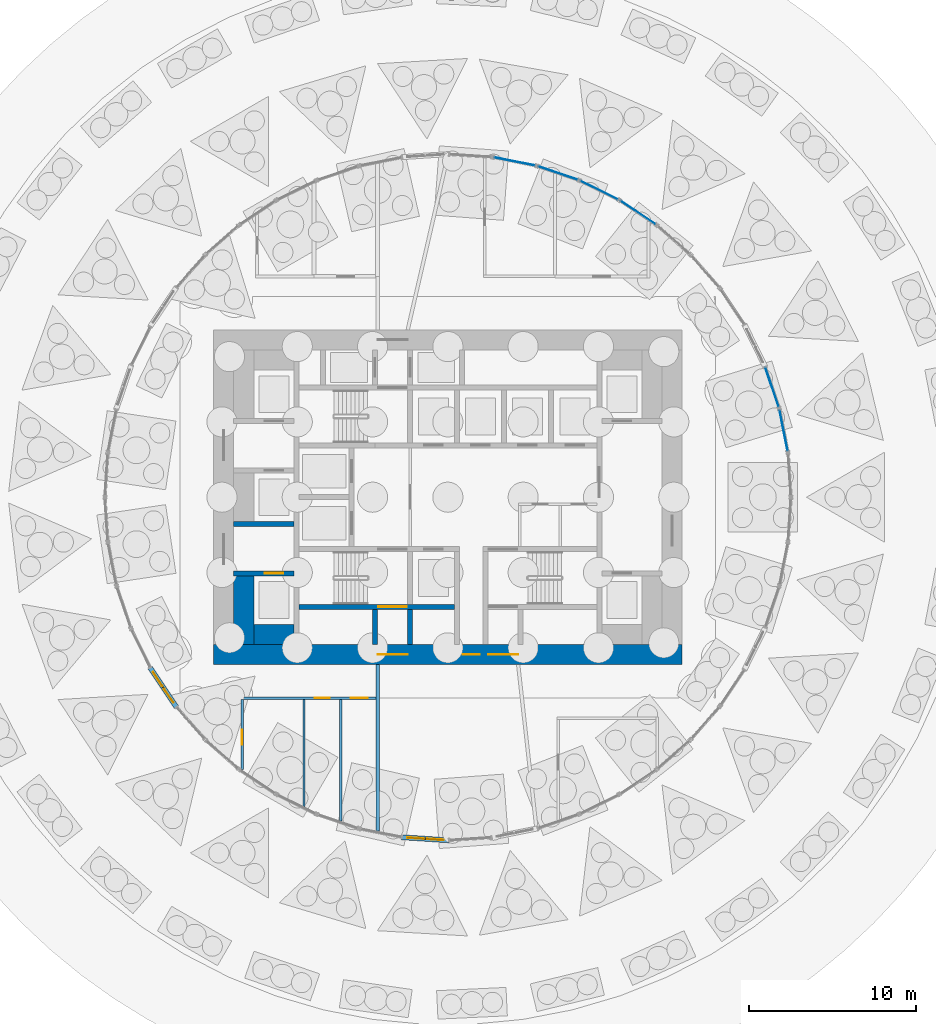
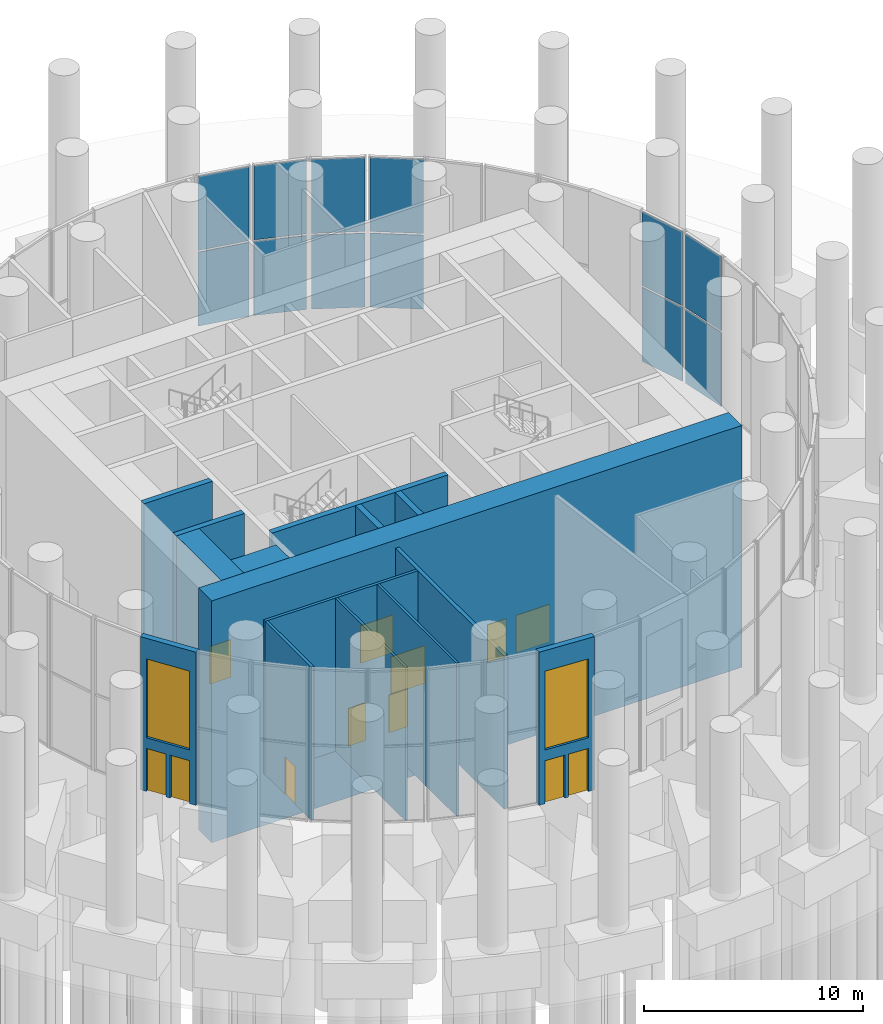
# One storey, part 12 of 20: 15 walls, 12 doors, 12 plates, 2 windows, 14 openings, 6 elements without a shape of their own.
"""IFC4 building model written with IfcOpenShell, lengths in metres."""

from ifc_helpers import new_model, si_unit, direction, frame, frame_2d, origin, origin_2d, place, context, subcontext, project, spatial, rectangle, extrude, material, layer, layer_set, type_object, element, fill, aggregate, save


model = new_model("IFC4")

# Units and contexts
model_context = context("Model", 3, precision=1e-05, world=origin(), true_north=direction((0.0, 1.0)))
body_context = subcontext(model_context, "Body", "Model", "MODEL_VIEW")
ifc_project = project(units=[si_unit("LENGTHUNIT", "METRE"), si_unit("AREAUNIT", "SQUARE_METRE"), si_unit("VOLUMEUNIT", "CUBIC_METRE"), si_unit("PLANEANGLEUNIT", "RADIAN"), si_unit("MASSUNIT", "GRAM", prefix="KILO")], contexts=[model_context])

# Site, building, storey
site_placement = place(None, origin())
site = spatial("IfcSite", under=ifc_project, at=site_placement, CompositionType="ELEMENT")
building_placement = place(site_placement, origin())
building = spatial("IfcBuilding", under=site, at=building_placement, Name="Tracery Tower", CompositionType="ELEMENT")
storey_placement = place(building_placement, origin())
storey = spatial("IfcBuildingStorey", under=building, at=storey_placement, Name="L00", CompositionType="ELEMENT", Elevation=0.0)

# Curtain wall, plates
ifc_material_1 = material(Name="Aluminium curtain wall with tinted glass", Category="aluminium")
curtain_wall_type = type_object("IfcCurtainWallType", Name="Pavilion storefront curtain wall", PredefinedType="NOTDEFINED", material=ifc_material_1)
curtain_wall_1_placement = place(storey_placement, origin())
curtain_wall_1 = element("IfcCurtainWall", 1, at=curtain_wall_1_placement, inside=storey, type_object=curtain_wall_type, Name="Pavilion storefront run 01", PredefinedType="NOTDEFINED")
ifc_material_2 = material(Name="Tinted laminated glass", Category="glass")
ifc_layer_1 = layer(ifc_material_2, 0.035888671875)
ifc_layer_set_1 = layer_set([ifc_layer_1], Name="Pavilion storefront glass panel 36")
plate_type = type_object("IfcPlateType", Name="Pavilion storefront glass panel 36", PredefinedType="CURTAIN_PANEL", material=ifc_layer_set_1)
plate_1_placement = place(storey_placement, frame((20.06298828125, 3.99072265625, 0.10009765625), z_axis=(0.0, 0.0, 1.0), x_axis=(-0.195073758352, 0.980788574976, 0.0)))
plate_1 = element("IfcPlate", 2, at=plate_1_placement, type_object=plate_type, Name="CWB1 panel 1.1", PredefinedType="CURTAIN_PANEL", context=body_context, shape_type="SweptSolid", body=[
    extrude(rectangle(XDim=2.461669921875, YDim=0.035888671875, at=origin_2d()), origin(), (0.0, 0.0, 1.0), 4.125),
])
plate_2_placement = place(storey_placement, frame((20.06298828125, 3.99072265625, 4.324951171875), z_axis=(0.0, 0.0, 1.0), x_axis=(-0.195073758352, 0.980788574976, 0.0)))
plate_2 = element("IfcPlate", 3, at=plate_2_placement, type_object=plate_type, Name="CWB1 panel 1.2", PredefinedType="CURTAIN_PANEL", context=body_context, shape_type="SweptSolid", body=[
    extrude(rectangle(XDim=2.461669921875, YDim=0.035888671875, at=origin_2d()), origin(), (0.0, 0.0, 1.0), 4.125),
])
aggregate(curtain_wall_1, [plate_1, plate_2])

curtain_wall_2_placement = place(storey_placement, origin())
curtain_wall_2 = element("IfcCurtainWall", 4, at=curtain_wall_2_placement, inside=storey, type_object=curtain_wall_type, Name="Pavilion storefront run 02", PredefinedType="NOTDEFINED")
plate_3_placement = place(storey_placement, frame((19.37060546875, 6.575439453125, 0.10009765625), z_axis=(0.0, 0.0, 1.0), x_axis=(-0.32143545964, 0.946931489225, 0.0)))
plate_3 = element("IfcPlate", 5, at=plate_3_placement, type_object=plate_type, Name="CWB1 panel 1.1", PredefinedType="CURTAIN_PANEL", context=body_context, shape_type="SweptSolid", body=[
    extrude(rectangle(XDim=2.46142578125, YDim=0.035888671875, at=origin_2d()), origin(), (0.0, 0.0, 1.0), 4.125),
])
plate_4_placement = place(storey_placement, frame((19.37060546875, 6.575439453125, 4.324951171875), z_axis=(0.0, 0.0, 1.0), x_axis=(-0.32143545964, 0.946931489225, 0.0)))
plate_4 = element("IfcPlate", 6, at=plate_4_placement, type_object=plate_type, Name="CWB1 panel 1.2", PredefinedType="CURTAIN_PANEL", context=body_context, shape_type="SweptSolid", body=[
    extrude(rectangle(XDim=2.46142578125, YDim=0.035888671875, at=origin_2d()), origin(), (0.0, 0.0, 1.0), 4.125),
])
aggregate(curtain_wall_2, [plate_3, plate_4])

curtain_wall_3_placement = place(storey_placement, origin())
curtain_wall_3 = element("IfcCurtainWall", 7, at=curtain_wall_3_placement, inside=storey, type_object=curtain_wall_type, Name="Pavilion storefront run 07", PredefinedType="NOTDEFINED")
plate_5_placement = place(storey_placement, frame((11.36474609375, 17.008544921875, 0.10009765625), z_axis=(0.0, 0.0, 1.0), x_axis=(-0.83147621975, 0.555560344148, 0.0)))
plate_5 = element("IfcPlate", 8, at=plate_5_placement, type_object=plate_type, Name="CWB1 panel 1.1", PredefinedType="CURTAIN_PANEL", context=body_context, shape_type="SweptSolid", body=[
    extrude(rectangle(XDim=2.46142578125, YDim=0.035888671875, at=origin_2d()), origin(), (0.0, 0.0, 1.0), 4.125),
])
plate_6_placement = place(storey_placement, frame((11.36474609375, 17.008544921875, 4.324951171875), z_axis=(0.0, 0.0, 1.0), x_axis=(-0.83147621975, 0.555560344148, 0.0)))
plate_6 = element("IfcPlate", 9, at=plate_6_placement, type_object=plate_type, Name="CWB1 panel 1.2", PredefinedType="CURTAIN_PANEL", context=body_context, shape_type="SweptSolid", body=[
    extrude(rectangle(XDim=2.46142578125, YDim=0.035888671875, at=origin_2d()), origin(), (0.0, 0.0, 1.0), 4.125),
])
aggregate(curtain_wall_3, [plate_5, plate_6])

curtain_wall_4_placement = place(storey_placement, origin())
curtain_wall_4 = element("IfcCurtainWall", 10, at=curtain_wall_4_placement, inside=storey, type_object=curtain_wall_type, Name="Pavilion storefront run 08", PredefinedType="NOTDEFINED")
plate_7_placement = place(storey_placement, frame((9.047607421875, 18.346435546875, 0.10009765625), z_axis=(0.0, 0.0, 1.0), x_axis=(-0.896873794872, 0.442286554251, 0.0)))
plate_7 = element("IfcPlate", 11, at=plate_7_placement, type_object=plate_type, Name="CWB1 panel 1.1", PredefinedType="CURTAIN_PANEL", context=body_context, shape_type="SweptSolid", body=[
    extrude(rectangle(XDim=2.46142578125, YDim=0.035888671875, at=origin_2d()), origin(), (0.0, 0.0, 1.0), 4.125),
])
plate_8_placement = place(storey_placement, frame((9.047607421875, 18.346435546875, 4.324951171875), z_axis=(0.0, 0.0, 1.0), x_axis=(-0.896873794872, 0.442286554251, 0.0)))
plate_8 = element("IfcPlate", 12, at=plate_8_placement, type_object=plate_type, Name="CWB1 panel 1.2", PredefinedType="CURTAIN_PANEL", context=body_context, shape_type="SweptSolid", body=[
    extrude(rectangle(XDim=2.46142578125, YDim=0.035888671875, at=origin_2d()), origin(), (0.0, 0.0, 1.0), 4.125),
])
aggregate(curtain_wall_4, [plate_7, plate_8])

curtain_wall_5_placement = place(storey_placement, origin())
curtain_wall_5 = element("IfcCurtainWall", 13, at=curtain_wall_5_placement, inside=storey, type_object=curtain_wall_type, Name="Pavilion storefront run 09", PredefinedType="NOTDEFINED")
plate_9_placement = place(storey_placement, frame((6.575439453125, 19.37060546875, 0.10009765625), z_axis=(0.0, 0.0, 1.0), x_axis=(-0.946931489225, 0.32143545964, 0.0)))
plate_9 = element("IfcPlate", 14, at=plate_9_placement, type_object=plate_type, Name="CWB1 panel 1.1", PredefinedType="CURTAIN_PANEL", context=body_context, shape_type="SweptSolid", body=[
    extrude(rectangle(XDim=2.46142578125, YDim=0.035888671875, at=origin_2d()), origin(), (0.0, 0.0, 1.0), 4.125),
])
plate_10_placement = place(storey_placement, frame((6.575439453125, 19.37060546875, 4.324951171875), z_axis=(0.0, 0.0, 1.0), x_axis=(-0.946931489225, 0.32143545964, 0.0)))
plate_10 = element("IfcPlate", 15, at=plate_10_placement, type_object=plate_type, Name="CWB1 panel 1.2", PredefinedType="CURTAIN_PANEL", context=body_context, shape_type="SweptSolid", body=[
    extrude(rectangle(XDim=2.46142578125, YDim=0.035888671875, at=origin_2d()), origin(), (0.0, 0.0, 1.0), 4.125),
])
aggregate(curtain_wall_5, [plate_9, plate_10])

curtain_wall_6_placement = place(storey_placement, origin())
curtain_wall_6 = element("IfcCurtainWall", 16, at=curtain_wall_6_placement, inside=storey, type_object=curtain_wall_type, Name="Pavilion storefront run 10", PredefinedType="NOTDEFINED")
plate_11_placement = place(storey_placement, frame((3.99072265625, 20.06298828125, 0.10009765625), z_axis=(0.0, 0.0, 1.0), x_axis=(-0.980788574976, 0.195073758352, 0.0)))
plate_11 = element("IfcPlate", 17, at=plate_11_placement, type_object=plate_type, Name="CWB1 panel 1.1", PredefinedType="CURTAIN_PANEL", context=body_context, shape_type="SweptSolid", body=[
    extrude(rectangle(XDim=2.461669921875, YDim=0.035888671875, at=origin_2d()), origin(), (0.0, 0.0, 1.0), 4.125),
])
plate_12_placement = place(storey_placement, frame((3.99072265625, 20.06298828125, 4.324951171875), z_axis=(0.0, 0.0, 1.0), x_axis=(-0.980788574976, 0.195073758352, 0.0)))
plate_12 = element("IfcPlate", 18, at=plate_12_placement, type_object=plate_type, Name="CWB1 panel 1.2", PredefinedType="CURTAIN_PANEL", context=body_context, shape_type="SweptSolid", body=[
    extrude(rectangle(XDim=2.461669921875, YDim=0.035888671875, at=origin_2d()), origin(), (0.0, 0.0, 1.0), 4.125),
])
aggregate(curtain_wall_6, [plate_11, plate_12])

# Walls
ifc_material_3 = material(Name="Concrete C60/75", Category="concrete")
ifc_layer_2 = layer(ifc_material_3, 1.199951171875)
ifc_layer_set_2 = layer_set([ifc_layer_2], Name="Core strip wall 1200 C60 from pit")
wall_type_1 = type_object("IfcWallType", Name="Core strip wall 1200 C60 from pit", PredefinedType="SOLIDWALL", material=ifc_layer_set_2)
wall_1_placement = place(storey_placement, frame((-12.199951171875, -8.800048828125, -4.5), z_axis=(0.0, 0.0, 1.0), x_axis=(0.0, 1.0, 0.0)))
element("IfcWall", 19, at=wall_1_placement, inside=storey, type_object=wall_type_1, Name="L00 wing strip -1 -9.4", PredefinedType="SOLIDWALL", context=body_context, shape_type="SweptSolid", body=[
    extrude(rectangle(XDim=4.10009765625, YDim=1.199951171875, at=frame_2d((2.050048828125, 0.0))), origin(), (0.0, 0.0, 1.0), 13.5),
])
wall_2_placement = place(storey_placement, frame((-11.60009765625, -8.199951171875, -4.5), z_axis=(0.0, 0.0, 1.0), x_axis=(1.0, 0.0, 0.0)))
element("IfcWall", 20, at=wall_2_placement, inside=storey, type_object=wall_type_1, Name="L00 wing corner -1 -8.2", PredefinedType="SOLIDWALL", context=body_context, shape_type="SweptSolid", body=[
    extrude(rectangle(XDim=2.400146484375, YDim=1.199951171875, at=frame_2d((1.2001953125, 0.0))), origin(), (0.0, 0.0, 1.0), 13.5),
])

# Wall, openings, doors
ifc_material_4 = material(Name="Concrete C60/75", Category="concrete")
ifc_layer_3 = layer(ifc_material_4, 1.199951171875)
ifc_layer_set_3 = layer_set([ifc_layer_3], Name="Core wall 1200 C60 from pit")
wall_type_2 = type_object("IfcWallType", Name="Core wall 1200 C60 from pit", PredefinedType="SOLIDWALL", material=ifc_layer_set_3)
wall_3_placement = place(storey_placement, frame((-14.0, -9.39990234375, -4.5), z_axis=(0.0, 0.0, 1.0), x_axis=(1.0, 0.0, 0.0)))
wall_3 = element("IfcWall", 21, at=wall_3_placement, inside=storey, type_object=wall_type_2, Name="L00 outer S", PredefinedType="SOLIDWALL", context=body_context, shape_type="SweptSolid", body=[
    extrude(rectangle(XDim=28.0, YDim=1.199951171875, at=frame_2d((14.0, 0.0))), origin(), (0.0, 0.0, 1.0), 13.5),
])
opening_1_placement = place(wall_3_placement, frame((14.89990234375, 0.0, 4.5)))
opening_1 = element("IfcOpeningElement", 22, at=opening_1_placement, cuts=wall_3, Name="Opening KD16", PredefinedType="OPENING", context=body_context, shape_type="SweptSolid", body=[
    extrude(rectangle(XDim=1.0, YDim=2.10009765625, at=frame_2d((0.5, 1.050048828125))), frame((0.0, 0.60009765625, 0.0), z_axis=(0.0, -1.0, 0.0), x_axis=(1.0, 0.0, 0.0)), (0.0, 0.0, 1.0), 1.199951171875),
])
opening_2_placement = place(wall_3_placement, frame((9.800048828125, 0.0, 4.5)))
opening_2 = element("IfcOpeningElement", 23, at=opening_2_placement, cuts=wall_3, Name="Opening KD13", PredefinedType="OPENING", context=body_context, shape_type="SweptSolid", body=[
    extrude(rectangle(XDim=1.800048828125, YDim=2.10009765625, at=frame_2d((0.89990234375, 1.050048828125))), frame((0.0, 0.60009765625, 0.0), z_axis=(0.0, -1.0, 0.0), x_axis=(1.0, 0.0, 0.0)), (0.0, 0.0, 1.0), 1.199951171875),
])
opening_3_placement = place(wall_3_placement, frame((16.39990234375, 0.0, 4.5)))
opening_3 = element("IfcOpeningElement", 24, at=opening_3_placement, cuts=wall_3, Name="Opening KD13", PredefinedType="OPENING", context=body_context, shape_type="SweptSolid", body=[
    extrude(rectangle(XDim=1.800048828125, YDim=2.10009765625, at=frame_2d((0.89990234375, 1.050048828125))), frame((0.0, 0.60009765625, 0.0), z_axis=(0.0, -1.0, 0.0), x_axis=(1.0, 0.0, 0.0)), (0.0, 0.0, 1.0), 1.199951171875),
])
ifc_material_5 = material(Name="Steel fire door", Category="steel")
door_type_1 = type_object("IfcDoorType", Name="Core exit door 1000", OperationType="NOTDEFINED", PredefinedType="DOOR", material=ifc_material_5)
door_1_placement = place(opening_1_placement, origin())
door_1 = element("IfcDoor", 25, at=door_1_placement, inside=storey, type_object=door_type_1, Name="Core exit door", OperationType="SINGLE_SWING_LEFT", OverallHeight=2.10009765625, OverallWidth=1.0, PredefinedType="DOOR", context=body_context, shape_type="SweptSolid", body=[
    extrude(rectangle(XDim=1.0, YDim=2.10009765625, at=frame_2d((0.5, 1.050048828125))), frame((0.0, 0.02490234375, 0.0), z_axis=(0.0, -1.0, 0.0), x_axis=(1.0, 0.0, 0.0)), (0.0, 0.0, 1.0), 0.050048828125),
])
fill(opening_1, door_1)
ifc_material_6 = material(Name="Steel fire door", Category="steel")
door_type_2 = type_object("IfcDoorType", Name="Core exit door 1800 double", OperationType="NOTDEFINED", PredefinedType="DOOR", material=ifc_material_6)
door_2_placement = place(opening_2_placement, origin())
door_2 = element("IfcDoor", 26, at=door_2_placement, inside=storey, type_object=door_type_2, Name="Core exit door", OperationType="DOUBLE_DOOR_SINGLE_SWING", OverallHeight=2.10009765625, OverallWidth=1.800048828125, PredefinedType="DOOR", context=body_context, shape_type="SweptSolid", body=[
    extrude(rectangle(XDim=1.800048828125, YDim=2.10009765625, at=frame_2d((0.89990234375, 1.050048828125))), frame((0.0, 0.02490234375, 0.0), z_axis=(0.0, -1.0, 0.0), x_axis=(1.0, 0.0, 0.0)), (0.0, 0.0, 1.0), 0.050048828125),
])
fill(opening_2, door_2)
door_3_placement = place(opening_3_placement, origin())
door_3 = element("IfcDoor", 27, at=door_3_placement, inside=storey, type_object=door_type_2, Name="Core exit door", OperationType="DOUBLE_DOOR_SINGLE_SWING", OverallHeight=2.10009765625, OverallWidth=1.800048828125, PredefinedType="DOOR", context=body_context, shape_type="SweptSolid", body=[
    extrude(rectangle(XDim=1.800048828125, YDim=2.10009765625, at=frame_2d((0.89990234375, 1.050048828125))), frame((0.0, 0.02490234375, 0.0), z_axis=(0.0, -1.0, 0.0), x_axis=(1.0, 0.0, 0.0)), (0.0, 0.0, 1.0), 0.050048828125),
])
fill(opening_3, door_3)

# Wall, opening, door
ifc_material_7 = material(Name="Plasterboard on steel studs", Category="steel")
ifc_layer_4 = layer(ifc_material_7, 0.14990234375)
ifc_layer_set_4 = layer_set([ifc_layer_4], Name="Corridor partition 150")
wall_type_3 = type_object("IfcWallType", Name="Corridor partition 150", PredefinedType="PARTITIONING", material=ifc_layer_set_4)
wall_4_placement = place(storey_placement, frame((-12.300048828125, -12.074951171875, 0.0), z_axis=(0.0, 0.0, 1.0), x_axis=(0.0, -1.0, 0.0)))
wall_4 = element("IfcWall", 28, at=wall_4_placement, inside=storey, type_object=wall_type_3, Name="Corridor partition 150", PredefinedType="PARTITIONING", context=body_context, shape_type="SweptSolid", body=[
    extrude(rectangle(XDim=4.2109375, YDim=0.14990234375, at=frame_2d((2.10546875, 0.0))), origin(), (0.0, 0.0, 1.0), 8.550048828125),
])
opening_4_placement = place(wall_4_placement, frame((1.818115234375, 0.0, 0.0)))
opening_4 = element("IfcOpeningElement", 29, at=opening_4_placement, cuts=wall_4, Name="Opening SB-L00-08", PredefinedType="OPENING", context=body_context, shape_type="SweptSolid", body=[
    extrude(rectangle(XDim=0.89990234375, YDim=2.10009765625, at=frame_2d((0.449951171875, 1.050048828125))), frame((0.0, 0.074951171875, 0.0), z_axis=(0.0, -1.0, 0.0), x_axis=(1.0, 0.0, 0.0)), (0.0, 0.0, 1.0), 0.14990234375),
])
ifc_material_8 = material(Name="Timber door leaf", Category="wood")
door_type_3 = type_object("IfcDoorType", Name="Toilet door 900", OperationType="NOTDEFINED", PredefinedType="DOOR", material=ifc_material_8)
door_4_placement = place(opening_4_placement, origin())
door_4 = element("IfcDoor", 30, at=door_4_placement, inside=storey, type_object=door_type_3, Name="Toilet door 900", OperationType="SINGLE_SWING_RIGHT", OverallHeight=2.10009765625, OverallWidth=0.89990234375, PredefinedType="DOOR", context=body_context, shape_type="SweptSolid", body=[
    extrude(rectangle(XDim=0.89990234375, YDim=2.10009765625, at=frame_2d((0.449951171875, 1.050048828125))), frame((0.0, 0.02490234375, 0.0), z_axis=(0.0, -1.0, 0.0), x_axis=(1.0, 0.0, 0.0)), (0.0, 0.0, 1.0), 0.050048828125),
])
fill(opening_4, door_4)

# Wall, openings, doors
wall_5_placement = place(storey_placement, frame((-4.300048828125, -12.0, 0.0), z_axis=(0.0, 0.0, 1.0), x_axis=(-1.0, 0.0, 0.0)))
wall_5 = element("IfcWall", 31, at=wall_5_placement, inside=storey, type_object=wall_type_3, Name="Corridor partition 150", PredefinedType="PARTITIONING", context=body_context, shape_type="SweptSolid", body=[
    extrude(rectangle(XDim=8.074951171875, YDim=0.14990234375, at=frame_2d((4.03759765625, 0.0))), origin(), (0.0, 0.0, 1.0), 8.550048828125),
])
opening_5_placement = place(wall_5_placement, frame((0.5, 0.0, 0.0)))
opening_5 = element("IfcOpeningElement", 32, at=opening_5_placement, cuts=wall_5, Name="Opening SB-L00-06", PredefinedType="OPENING", context=body_context, shape_type="SweptSolid", body=[
    extrude(rectangle(XDim=1.0, YDim=2.10009765625, at=frame_2d((0.5, 1.050048828125))), frame((0.0, 0.074951171875, 0.0), z_axis=(0.0, -1.0, 0.0), x_axis=(1.0, 0.0, 0.0)), (0.0, 0.0, 1.0), 0.14990234375),
])
opening_6_placement = place(wall_5_placement, frame((2.75, 0.0, 0.0)))
opening_6 = element("IfcOpeningElement", 33, at=opening_6_placement, cuts=wall_5, Name="Opening SB-L00-07", PredefinedType="OPENING", context=body_context, shape_type="SweptSolid", body=[
    extrude(rectangle(XDim=0.89990234375, YDim=2.10009765625, at=frame_2d((0.449951171875, 1.050048828125))), frame((0.0, 0.074951171875, 0.0), z_axis=(0.0, -1.0, 0.0), x_axis=(1.0, 0.0, 0.0)), (0.0, 0.0, 1.0), 0.14990234375),
])
ifc_material_9 = material(Name="Timber door leaf", Category="wood")
door_type_4 = type_object("IfcDoorType", Name="Accessible toilet door 1000", OperationType="NOTDEFINED", PredefinedType="DOOR", material=ifc_material_9)
door_5_placement = place(opening_5_placement, origin())
door_5 = element("IfcDoor", 34, at=door_5_placement, inside=storey, type_object=door_type_4, Name="Accessible toilet door 1000", OperationType="SINGLE_SWING_RIGHT", OverallHeight=2.10009765625, OverallWidth=1.0, PredefinedType="DOOR", context=body_context, shape_type="SweptSolid", body=[
    extrude(rectangle(XDim=1.0, YDim=2.10009765625, at=frame_2d((0.5, 1.050048828125))), frame((0.0, 0.02490234375, 0.0), z_axis=(0.0, -1.0, 0.0), x_axis=(1.0, 0.0, 0.0)), (0.0, 0.0, 1.0), 0.050048828125),
])
fill(opening_5, door_5)
door_6_placement = place(opening_6_placement, origin())
door_6 = element("IfcDoor", 35, at=door_6_placement, inside=storey, type_object=door_type_3, Name="Toilet door 900", OperationType="SINGLE_SWING_RIGHT", OverallHeight=2.10009765625, OverallWidth=0.89990234375, PredefinedType="DOOR", context=body_context, shape_type="SweptSolid", body=[
    extrude(rectangle(XDim=0.89990234375, YDim=2.10009765625, at=frame_2d((0.449951171875, 1.050048828125))), frame((0.0, 0.02490234375, 0.0), z_axis=(0.0, -1.0, 0.0), x_axis=(1.0, 0.0, 0.0)), (0.0, 0.0, 1.0), 0.050048828125),
])
fill(opening_6, door_6)

# Wall, openings, window, doors
ifc_material_10 = material(Name="Precast concrete C50/60", Category="concrete")
ifc_layer_5 = layer(ifc_material_10, 0.300048828125)
ifc_layer_set_5 = layer_set([ifc_layer_5], Name="Entrance portal wall 300")
wall_type_4 = type_object("IfcWallType", Name="Entrance portal wall 300", PredefinedType="STANDARD", material=ifc_layer_set_5)
wall_6_placement = place(storey_placement, frame((-17.795166015625, -10.1875, 0.0), z_axis=(0.0, 0.0, 1.0), x_axis=(0.555515703824, -0.83150604496, 0.0)))
wall_6 = element("IfcWall", 36, at=wall_6_placement, inside=storey, type_object=wall_type_4, Name="Entrance portal 5", PredefinedType="STANDARD", context=body_context, shape_type="SweptSolid", body=[
    extrude(rectangle(XDim=2.83154296875, YDim=0.300048828125, at=frame_2d((1.415771484375, 0.0))), origin(), (0.0, 0.0, 1.0), 8.550048828125),
])
opening_7_placement = place(wall_6_placement, frame((0.31591796875, 0.0, 0.0)))
opening_7 = element("IfcOpeningElement", 37, at=opening_7_placement, cuts=wall_6, Name="Opening ED909", PredefinedType="OPENING", context=body_context, shape_type="SweptSolid", body=[
    extrude(rectangle(XDim=1.0, YDim=2.39990234375, at=frame_2d((0.5, 1.199951171875))), frame((0.0, 0.14990234375, 0.0), z_axis=(0.0, -1.0, 0.0), x_axis=(1.0, 0.0, 0.0)), (0.0, 0.0, 1.0), 0.300048828125),
])
opening_8_placement = place(wall_6_placement, frame((1.515869140625, 0.0, 0.0)))
opening_8 = element("IfcOpeningElement", 38, at=opening_8_placement, cuts=wall_6, Name="Opening ED910", PredefinedType="OPENING", context=body_context, shape_type="SweptSolid", body=[
    extrude(rectangle(XDim=1.0, YDim=2.39990234375, at=frame_2d((0.5, 1.199951171875))), frame((0.0, 0.14990234375, 0.0), z_axis=(0.0, -1.0, 0.0), x_axis=(1.0, 0.0, 0.0)), (0.0, 0.0, 1.0), 0.300048828125),
])
opening_9_placement = place(wall_6_placement, frame((0.31591796875, 0.0, 3.0)))
opening_9 = element("IfcOpeningElement", 39, at=opening_9_placement, cuts=wall_6, Name="Opening EW805", PredefinedType="OPENING", context=body_context, shape_type="SweptSolid", body=[
    extrude(rectangle(XDim=2.199951171875, YDim=4.39990234375, at=frame_2d((1.10009765625, 2.199951171875))), frame((0.0, 0.14990234375, 0.0), z_axis=(0.0, -1.0, 0.0), x_axis=(1.0, 0.0, 0.0)), (0.0, 0.0, 1.0), 0.300048828125),
])
ifc_material_11 = material(Name="Aluminium frame with tinted double glazing", Category="aluminium")
window_type = type_object("IfcWindowType", Name="Entrance fanlight 2200 x 4400", PartitioningType="SINGLE_PANEL", PredefinedType="WINDOW", material=ifc_material_11)
window_1_placement = place(opening_9_placement, origin())
window_1 = element("IfcWindow", 40, at=window_1_placement, inside=storey, type_object=window_type, Name="Entrance fanlight EW805", OverallHeight=4.39990234375, OverallWidth=2.199951171875, PartitioningType="SINGLE_PANEL", PredefinedType="WINDOW", context=body_context, shape_type="SweptSolid", body=[
    extrude(rectangle(XDim=2.199951171875, YDim=4.39990234375, at=frame_2d((1.10009765625, 2.199951171875))), frame((0.0, 0.030029296875, 0.0), z_axis=(0.0, -1.0, 0.0), x_axis=(1.0, 0.0, 0.0)), (0.0, 0.0, 1.0), 0.06005859375),
])
fill(opening_9, window_1)
ifc_material_12 = material(Name="Glazed aluminium door", Category="aluminium")
door_type_5 = type_object("IfcDoorType", Name="Pavilion entrance door 1000 x 2400", OperationType="NOTDEFINED", PredefinedType="DOOR", material=ifc_material_12)
door_7_placement = place(opening_7_placement, origin())
door_7 = element("IfcDoor", 41, at=door_7_placement, inside=storey, type_object=door_type_5, Name="Entrance door ED909", OperationType="SLIDING_TO_LEFT", OverallHeight=2.39990234375, OverallWidth=1.0, PredefinedType="DOOR", context=body_context, shape_type="SweptSolid", body=[
    extrude(rectangle(XDim=1.0, YDim=2.39990234375, at=frame_2d((0.5, 1.199951171875))), frame((0.0, 0.02490234375, 0.0), z_axis=(0.0, -1.0, 0.0), x_axis=(1.0, 0.0, 0.0)), (0.0, 0.0, 1.0), 0.050048828125),
])
fill(opening_7, door_7)
door_8_placement = place(opening_8_placement, origin())
door_8 = element("IfcDoor", 42, at=door_8_placement, inside=storey, type_object=door_type_5, Name="Entrance door ED910", OperationType="SLIDING_TO_RIGHT", OverallHeight=2.39990234375, OverallWidth=1.0, PredefinedType="DOOR", context=body_context, shape_type="SweptSolid", body=[
    extrude(rectangle(XDim=1.0, YDim=2.39990234375, at=frame_2d((0.5, 1.199951171875))), frame((0.0, 0.02490234375, 0.0), z_axis=(0.0, -1.0, 0.0), x_axis=(1.0, 0.0, 0.0)), (0.0, 0.0, 1.0), 0.050048828125),
])
fill(opening_8, door_8)

wall_7_placement = place(storey_placement, frame((-2.75048828125, -20.319580078125, 0.0), z_axis=(0.0, 0.0, 1.0), x_axis=(0.997855933643, -0.065448725686, 0.0)))
wall_7 = element("IfcWall", 43, at=wall_7_placement, inside=storey, type_object=wall_type_4, Name="Entrance portal 6", PredefinedType="STANDARD", context=body_context, shape_type="SweptSolid", body=[
    extrude(rectangle(XDim=2.831298828125, YDim=0.300048828125, at=frame_2d((1.41552734375, 0.0))), origin(), (0.0, 0.0, 1.0), 8.550048828125),
])
opening_10_placement = place(wall_7_placement, frame((0.31591796875, 0.0, 0.0)))
opening_10 = element("IfcOpeningElement", 44, at=opening_10_placement, cuts=wall_7, Name="Opening ED911", PredefinedType="OPENING", context=body_context, shape_type="SweptSolid", body=[
    extrude(rectangle(XDim=1.0, YDim=2.39990234375, at=frame_2d((0.5, 1.199951171875))), frame((0.0, 0.14990234375, 0.0), z_axis=(0.0, -1.0, 0.0), x_axis=(1.0, 0.0, 0.0)), (0.0, 0.0, 1.0), 0.300048828125),
])
opening_11_placement = place(wall_7_placement, frame((1.515869140625, 0.0, 0.0)))
opening_11 = element("IfcOpeningElement", 45, at=opening_11_placement, cuts=wall_7, Name="Opening ED912", PredefinedType="OPENING", context=body_context, shape_type="SweptSolid", body=[
    extrude(rectangle(XDim=1.0, YDim=2.39990234375, at=frame_2d((0.5, 1.199951171875))), frame((0.0, 0.14990234375, 0.0), z_axis=(0.0, -1.0, 0.0), x_axis=(1.0, 0.0, 0.0)), (0.0, 0.0, 1.0), 0.300048828125),
])
opening_12_placement = place(wall_7_placement, frame((0.31591796875, 0.0, 3.0)))
opening_12 = element("IfcOpeningElement", 46, at=opening_12_placement, cuts=wall_7, Name="Opening EW806", PredefinedType="OPENING", context=body_context, shape_type="SweptSolid", body=[
    extrude(rectangle(XDim=2.199951171875, YDim=4.39990234375, at=frame_2d((1.10009765625, 2.199951171875))), frame((0.0, 0.14990234375, 0.0), z_axis=(0.0, -1.0, 0.0), x_axis=(1.0, 0.0, 0.0)), (0.0, 0.0, 1.0), 0.300048828125),
])
window_2_placement = place(opening_12_placement, origin())
window_2 = element("IfcWindow", 47, at=window_2_placement, inside=storey, type_object=window_type, Name="Entrance fanlight EW806", OverallHeight=4.39990234375, OverallWidth=2.199951171875, PartitioningType="SINGLE_PANEL", PredefinedType="WINDOW", context=body_context, shape_type="SweptSolid", body=[
    extrude(rectangle(XDim=2.199951171875, YDim=4.39990234375, at=frame_2d((1.10009765625, 2.199951171875))), frame((0.0, 0.030029296875, 0.0), z_axis=(0.0, -1.0, 0.0), x_axis=(1.0, 0.0, 0.0)), (0.0, 0.0, 1.0), 0.06005859375),
])
fill(opening_12, window_2)
door_9_placement = place(opening_10_placement, origin())
door_9 = element("IfcDoor", 48, at=door_9_placement, inside=storey, type_object=door_type_5, Name="Entrance door ED911", OperationType="SLIDING_TO_LEFT", OverallHeight=2.39990234375, OverallWidth=1.0, PredefinedType="DOOR", context=body_context, shape_type="SweptSolid", body=[
    extrude(rectangle(XDim=1.0, YDim=2.39990234375, at=frame_2d((0.5, 1.199951171875))), frame((0.0, 0.02490234375, 0.0), z_axis=(0.0, -1.0, 0.0), x_axis=(1.0, 0.0, 0.0)), (0.0, 0.0, 1.0), 0.050048828125),
])
fill(opening_10, door_9)
door_10_placement = place(opening_11_placement, origin())
door_10 = element("IfcDoor", 49, at=door_10_placement, inside=storey, type_object=door_type_5, Name="Entrance door ED912", OperationType="SLIDING_TO_RIGHT", OverallHeight=2.39990234375, OverallWidth=1.0, PredefinedType="DOOR", context=body_context, shape_type="SweptSolid", body=[
    extrude(rectangle(XDim=1.0, YDim=2.39990234375, at=frame_2d((0.5, 1.199951171875))), frame((0.0, 0.02490234375, 0.0), z_axis=(0.0, -1.0, 0.0), x_axis=(1.0, 0.0, 0.0)), (0.0, 0.0, 1.0), 0.050048828125),
])
fill(opening_11, door_10)

# Walls
ifc_material_13 = material(Name="Concrete blockwork", Category="masonry")
ifc_layer_6 = layer(ifc_material_13, 0.199951171875)
ifc_layer_set_6 = layer_set([ifc_layer_6], Name="Fire lobby wall 200")
wall_type_5 = type_object("IfcWallType", Name="Fire lobby wall 200", PredefinedType="PARTITIONING", material=ifc_layer_set_6)
wall_8_placement = place(storey_placement, frame((-4.199951171875, -19.9384765625, 0.0), z_axis=(0.0, 0.0, 1.0), x_axis=(0.0, 1.0, 0.0)))
element("IfcWall", 50, at=wall_8_placement, inside=storey, type_object=wall_type_5, Name="Fire lobby wall 200", PredefinedType="PARTITIONING", context=body_context, shape_type="SweptSolid", body=[
    extrude(rectangle(XDim=9.93701171875, YDim=0.199951171875, at=frame_2d((4.968505859375, 0.0))), origin(), (0.0, 0.0, 1.0), 8.550048828125),
])
ifc_material_14 = material(Name="Concrete C60/75", Category="concrete")
ifc_layer_7 = layer(ifc_material_14, 0.300048828125)
ifc_layer_set_7 = layer_set([ifc_layer_7], Name="Shaft wall 300 C60 from pit")
wall_type_6 = type_object("IfcWallType", Name="Shaft wall 300 C60 from pit", PredefinedType="SOLIDWALL", material=ifc_layer_set_7)
wall_9_placement = place(storey_placement, frame((-4.35009765625, -8.800048828125, -4.5), z_axis=(0.0, 0.0, 1.0), x_axis=(0.0, 1.0, 0.0)))
element("IfcWall", 51, at=wall_9_placement, inside=storey, type_object=wall_type_6, Name="L00 band S -4.35", PredefinedType="SOLIDWALL", context=body_context, shape_type="SweptSolid", body=[
    extrude(rectangle(XDim=2.10009765625, YDim=0.300048828125, at=frame_2d((1.050048828125, 0.0))), origin(), (0.0, 0.0, 1.0), 13.5),
])

# Wall, opening, door
wall_10_placement = place(storey_placement, frame((-12.800048828125, -4.550048828125, -4.5), z_axis=(0.0, 0.0, 1.0), x_axis=(1.0, 0.0, 0.0)))
wall_10 = element("IfcWall", 52, at=wall_10_placement, inside=storey, type_object=wall_type_6, Name="L00 wing shaft wall -1 -4.55", PredefinedType="SOLIDWALL", context=body_context, shape_type="SweptSolid", body=[
    extrude(rectangle(XDim=3.60009765625, YDim=0.300048828125, at=frame_2d((1.800048828125, 0.0))), origin(), (0.0, 0.0, 1.0), 13.5),
])
opening_13_placement = place(wall_10_placement, frame((1.85009765625, 0.0, 4.5)))
opening_13 = element("IfcOpeningElement", 53, at=opening_13_placement, cuts=wall_10, Name="Opening KD50", PredefinedType="OPENING", context=body_context, shape_type="SweptSolid", body=[
    extrude(rectangle(XDim=1.10009765625, YDim=2.10009765625, at=frame_2d((0.550048828125, 1.050048828125))), frame((0.0, 0.14990234375, 0.0), z_axis=(0.0, -1.0, 0.0), x_axis=(1.0, 0.0, 0.0)), (0.0, 0.0, 1.0), 0.300048828125),
])
ifc_material_15 = material(Name="Steel fire door", Category="steel")
door_type_6 = type_object("IfcDoorType", Name="Landing door 1100", OperationType="NOTDEFINED", PredefinedType="DOOR", material=ifc_material_15)
door_11_placement = place(opening_13_placement, origin())
door_11 = element("IfcDoor", 54, at=door_11_placement, inside=storey, type_object=door_type_6, Name="Landing door MR1", OperationType="SLIDING_TO_RIGHT", OverallHeight=2.10009765625, OverallWidth=1.10009765625, PredefinedType="DOOR", context=body_context, shape_type="SweptSolid", body=[
    extrude(rectangle(XDim=1.10009765625, YDim=2.10009765625, at=frame_2d((0.550048828125, 1.050048828125))), frame((0.0, 0.02490234375, 0.0), z_axis=(0.0, -1.0, 0.0), x_axis=(1.0, 0.0, 0.0)), (0.0, 0.0, 1.0), 0.050048828125),
])
fill(opening_13, door_11)

# Wall
wall_11_placement = place(storey_placement, frame((-12.800048828125, -1.60009765625, -4.5), z_axis=(0.0, 0.0, 1.0), x_axis=(1.0, 0.0, 0.0)))
element("IfcWall", 55, at=wall_11_placement, inside=storey, type_object=wall_type_6, Name="L00 wing shaft wall -1 -1.60", PredefinedType="SOLIDWALL", context=body_context, shape_type="SweptSolid", body=[
    extrude(rectangle(XDim=3.60009765625, YDim=0.300048828125, at=frame_2d((1.800048828125, 0.0))), origin(), (0.0, 0.0, 1.0), 13.5),
])

# Wall, opening, door
ifc_material_16 = material(Name="Concrete C60/75", Category="concrete")
ifc_layer_8 = layer(ifc_material_16, 0.300048828125)
ifc_layer_set_8 = layer_set([ifc_layer_8], Name="Stair wall 300 C60 from pit")
wall_type_7 = type_object("IfcWallType", Name="Stair wall 300 C60 from pit", PredefinedType="SOLIDWALL", material=ifc_layer_set_8)
wall_12_placement = place(storey_placement, frame((-8.89990234375, -6.550048828125, -4.5), z_axis=(0.0, 0.0, 1.0), x_axis=(1.0, 0.0, 0.0)))
wall_12 = element("IfcWall", 56, at=wall_12_placement, inside=storey, type_object=wall_type_7, Name="L00 F S W", PredefinedType="SOLIDWALL", context=body_context, shape_type="SweptSolid", body=[
    extrude(rectangle(XDim=9.2998046875, YDim=0.300048828125, at=frame_2d((4.64990234375, 0.0))), origin(), (0.0, 0.0, 1.0), 13.5),
])
opening_14_placement = place(wall_12_placement, frame((4.75, 0.0, 4.5)))
opening_14 = element("IfcOpeningElement", 57, at=opening_14_placement, cuts=wall_12, Name="Opening KD3", PredefinedType="OPENING", context=body_context, shape_type="SweptSolid", body=[
    extrude(rectangle(XDim=1.699951171875, YDim=2.10009765625, at=frame_2d((0.85009765625, 1.050048828125))), frame((0.0, 0.14990234375, 0.0), z_axis=(0.0, -1.0, 0.0), x_axis=(1.0, 0.0, 0.0)), (0.0, 0.0, 1.0), 0.300048828125),
])
ifc_material_17 = material(Name="Steel fire door", Category="steel")
door_type_7 = type_object("IfcDoorType", Name="Core stair door 1700 double", OperationType="NOTDEFINED", PredefinedType="DOOR", material=ifc_material_17)
door_12_placement = place(opening_14_placement, origin())
door_12 = element("IfcDoor", 58, at=door_12_placement, inside=storey, type_object=door_type_7, Name="Stair door ST1 S", OperationType="DOUBLE_DOOR_SINGLE_SWING", OverallHeight=2.10009765625, OverallWidth=1.699951171875, PredefinedType="DOOR", context=body_context, shape_type="SweptSolid", body=[
    extrude(rectangle(XDim=1.699951171875, YDim=2.10009765625, at=frame_2d((0.85009765625, 1.050048828125))), frame((0.0, 0.02490234375, 0.0), z_axis=(0.0, -1.0, 0.0), x_axis=(1.0, 0.0, 0.0)), (0.0, 0.0, 1.0), 0.050048828125),
])
fill(opening_14, door_12)

# Walls
wall_13_placement = place(storey_placement, frame((-2.25, -8.800048828125, -4.5), z_axis=(0.0, 0.0, 1.0), x_axis=(0.0, 1.0, 0.0)))
element("IfcWall", 59, at=wall_13_placement, inside=storey, type_object=wall_type_7, Name="L00 ST1 E out", PredefinedType="SOLIDWALL", context=body_context, shape_type="SweptSolid", body=[
    extrude(rectangle(XDim=2.10009765625, YDim=0.300048828125, at=frame_2d((1.050048828125, 0.0))), origin(), (0.0, 0.0, 1.0), 13.5),
])
ifc_material_18 = material(Name="Plasterboard on steel studs", Category="steel")
ifc_layer_9 = layer(ifc_material_18, 0.125)
ifc_layer_set_9 = layer_set([ifc_layer_9], Name="Wet area partition 125")
wall_type_8 = type_object("IfcWallType", Name="Wet area partition 125", PredefinedType="PARTITIONING", material=ifc_layer_set_9)
wall_14_placement = place(storey_placement, frame((-8.60009765625, -12.074951171875, 0.0), z_axis=(0.0, 0.0, 1.0), x_axis=(0.0, -1.0, 0.0)))
element("IfcWall", 60, at=wall_14_placement, inside=storey, type_object=wall_type_8, Name="Wet area partition 125", PredefinedType="PARTITIONING", context=body_context, shape_type="SweptSolid", body=[
    extrude(rectangle(XDim=6.401611328125, YDim=0.125, at=frame_2d((3.20068359375, 0.0))), origin(), (0.0, 0.0, 1.0), 8.550048828125),
])
wall_15_placement = place(storey_placement, frame((-6.39990234375, -12.074951171875, 0.0), z_axis=(0.0, 0.0, 1.0), x_axis=(0.0, -1.0, 0.0)))
element("IfcWall", 61, at=wall_15_placement, inside=storey, type_object=wall_type_8, Name="Wet area partition 125", PredefinedType="PARTITIONING", context=body_context, shape_type="SweptSolid", body=[
    extrude(rectangle(XDim=7.269287109375, YDim=0.125, at=frame_2d((3.634765625, 0.0))), origin(), (0.0, 0.0, 1.0), 8.550048828125),
])

save(model, "model.ifc")
